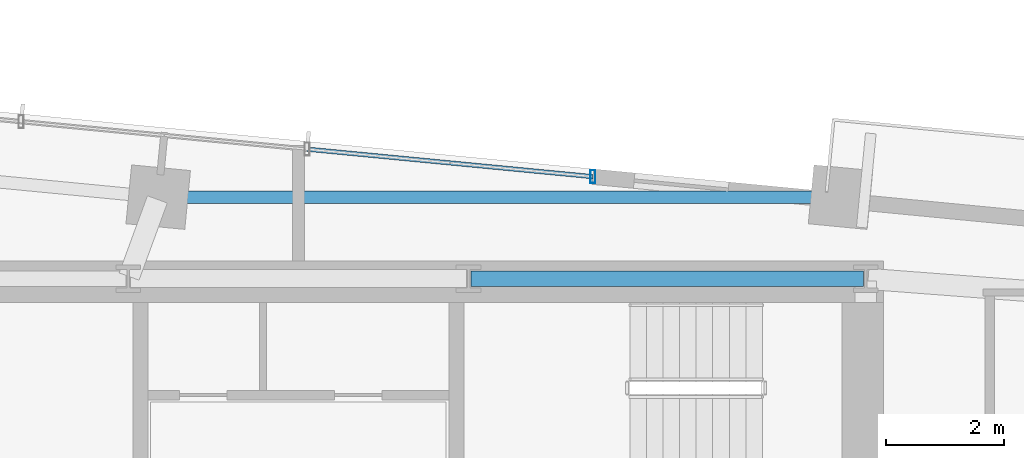
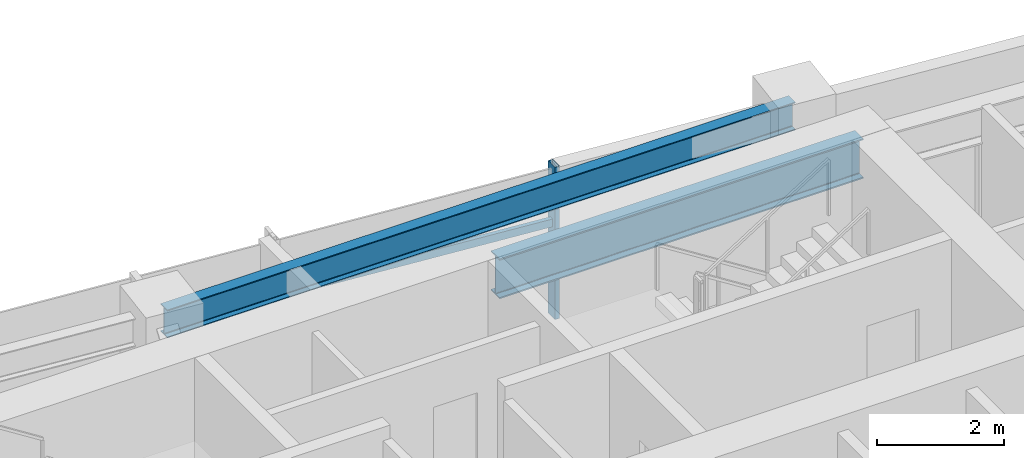
# One storey, part 11 of 19: 2 beams, 2 members, 1 element without a shape of its own.
"""IFC4 building model written with IfcOpenShell, lengths in metres."""

from ifc_helpers import new_model, si_unit, direction, frame, origin, origin_2d, place, context, subcontext, project, spatial, hollow_rectangle, i_section, extrude, source, transform, mapped, material, material_profile, profile_set, type_object, type_shapes, element, aggregate, save


model = new_model("IFC4")

# Units and contexts
model_context = context("Model", 3, precision=1e-05, world=origin(), true_north=direction((0.0, 1.0)))
body_context = subcontext(model_context, "Body", "Model", "MODEL_VIEW")
ifc_project = project(units=[si_unit("LENGTHUNIT", "METRE"), si_unit("AREAUNIT", "SQUARE_METRE"), si_unit("VOLUMEUNIT", "CUBIC_METRE"), si_unit("PLANEANGLEUNIT", "RADIAN"), si_unit("MASSUNIT", "GRAM", prefix="KILO")], contexts=[model_context])

# Site, building, storey
site_placement = place(None, origin())
site = spatial("IfcSite", under=ifc_project, at=site_placement, CompositionType="ELEMENT")
building_placement = place(site_placement, origin())
building = spatial("IfcBuilding", under=site, at=building_placement, Name="Astriad Promenade Condominiums", CompositionType="ELEMENT")
storey_placement = place(building_placement, frame((0.0, 0.0, 140.60009765625)))
storey = spatial("IfcBuildingStorey", under=building, at=storey_placement, Name="L40", CompositionType="ELEMENT", Elevation=140.60009765625)

# Beams
ifc_material_1 = material(Name="Steel ASTM A992 Grade 50", Category="steel")
ifc_material_profile_1 = material_profile(ifc_material_1, i_section(OverallWidth=0.267822265625, OverallDepth=0.76953125, WebThickness=0.015625, FlangeThickness=0.025390625, FilletRadius=0.021484375, at=origin_2d()), Name="W30X132")
ifc_profile_set_1 = profile_set([ifc_material_profile_1], Name="Steel ASTM A992 Grade 50")
beam_type_1 = type_object("IfcBeamType", Name="STEEL FLOOR GIRDER W30X132", PredefinedType="BEAM", material=ifc_profile_set_1)
shared_shape_1 = source(origin(), body_context, "Body", "SweptSolid", [
    extrude(i_section(OverallWidth=0.267822265625, OverallDepth=0.76953125, WebThickness=0.015625, FlangeThickness=0.025390625, FilletRadius=0.021484375, at=origin_2d()), origin(), (0.0, 0.0, 1.0), 6.64013671875),
])
type_shapes(beam_type_1, [shared_shape_1])
beam_1_placement = place(storey_placement, frame((38.919921875, 24.0, 2.55517578125), z_axis=(1.0, 0.0, 0.0), x_axis=(0.0, 1.0, 0.0)))
element("IfcBeam", 1, at=beam_1_placement, inside=storey, type_object=beam_type_1, Name="Core Ring Beam CG-N3-L40", PredefinedType="BEAM", context=body_context, shape_type="MappedRepresentation", body=[
    mapped(shared_shape_1, transform((0.0, 0.0, 0.0), scale=1.0)),
])
ifc_material_profile_2 = material_profile(ifc_material_1, i_section(OverallWidth=0.210693359375, OverallDepth=0.53955078125, WebThickness=0.01171875, FlangeThickness=0.018798828125, FilletRadius=0.0166015625, at=origin_2d()), Name="W21X73")
ifc_profile_set_2 = profile_set([ifc_material_profile_2], Name="Steel ASTM A992 Grade 50")
beam_type_2 = type_object("IfcBeamType", Name="STEEL SPANDREL BEAM W21X73", PredefinedType="SPANDREL", material=ifc_profile_set_2)
shared_shape_2 = source(origin(), body_context, "Body", "SweptSolid", [
    extrude(i_section(OverallWidth=0.210693359375, OverallDepth=0.53955078125, WebThickness=0.01171875, FlangeThickness=0.018798828125, FilletRadius=0.0166015625, at=origin_2d()), origin(), (0.0, 0.0, 1.0), 11.466552734375),
])
type_shapes(beam_type_2, [shared_shape_2])
beam_2_placement = place(storey_placement, frame((45.1328125, 25.3798828125, 2.670166015625), z_axis=(-0.999999999093, 4.258309e-05, 0.0), x_axis=(-4.258309e-05, -0.999999999093, 0.0)))
element("IfcBeam", 2, at=beam_2_placement, inside=storey, type_object=beam_type_2, Name="Perimeter Spandrel Beam SP-N3-L40", PredefinedType="SPANDREL", context=body_context, shape_type="MappedRepresentation", body=[
    mapped(shared_shape_2, transform((0.0, 0.0, 0.0), scale=1.0)),
])

# Curtain wall, members
ifc_material_2 = material(Name="Anodised aluminium Black Dark Glass Unitised", Category="aluminium")
curtain_wall_type = type_object("IfcCurtainWallType", Name="CW-B34-DARK", PredefinedType="USERDEFINED", material=ifc_material_2)
curtain_wall_placement = place(storey_placement, origin())
curtain_wall = element("IfcCurtainWall", 3, at=curtain_wall_placement, inside=storey, type_object=curtain_wall_type, Name="CW-L40-N", ObjectType="UNITISED_CURTAIN_WALL", PredefinedType="USERDEFINED")
ifc_material_3 = material(Name="Anodised aluminium 6063-T6 Black", Category="aluminium")
ifc_material_profile_3 = material_profile(ifc_material_3, hollow_rectangle(XDim=0.0849609375, YDim=0.219970703125, WallThickness=0.0048828125, at=origin_2d()), Name="ALU-MUL-85X220")
ifc_profile_set_3 = profile_set([ifc_material_profile_3], Name="Anodised aluminium 6063-T6 Black")
member_type_1 = type_object("IfcMemberType", Name="MUL-ALU-MUL-85X220", PredefinedType="MULLION", material=ifc_profile_set_3)
shared_shape_3 = source(origin(), body_context, "Body", "SweptSolid", [
    extrude(hollow_rectangle(XDim=0.0849609375, YDim=0.219970703125, WallThickness=0.0048828125, at=origin_2d()), origin(), (0.0, 0.0, 1.0), 2.93994140625),
])
type_shapes(member_type_1, [shared_shape_3])
member_1_placement = place(storey_placement, frame((40.9833984375, 25.726806640625, 0.0), z_axis=(0.0, 0.0, 1.0), x_axis=(1.0, 0.0, 0.0)))
member_1 = element("IfcMember", 4, at=member_1_placement, type_object=member_type_1, Name="CW-L40-N-MUL-03", PredefinedType="MULLION", context=body_context, shape_type="MappedRepresentation", body=[
    mapped(shared_shape_3, transform((0.0, 0.0, 0.0), scale=1.0)),
])
ifc_material_profile_4 = material_profile(ifc_material_3, hollow_rectangle(XDim=0.074951171875, YDim=0.14990234375, WallThickness=0.004150390625, at=origin_2d()), Name="ALU-TRN-75X150")
ifc_profile_set_4 = profile_set([ifc_material_profile_4], Name="Anodised aluminium 6063-T6 Black")
member_type_2 = type_object("IfcMemberType", Name="TRN-ALU-TRN-75X150", PredefinedType="USERDEFINED", material=ifc_profile_set_4)
shared_shape_4 = source(origin(), body_context, "Body", "SweptSolid", [
    extrude(hollow_rectangle(XDim=0.074951171875, YDim=0.14990234375, WallThickness=0.004150390625, at=origin_2d()), origin(), (0.0, 0.0, 1.0), 4.860107421875),
])
type_shapes(member_type_2, [shared_shape_4])
member_2_placement = place(storey_placement, frame((36.145751953125, 26.1923828125, 1.82275390625), z_axis=(0.995400834012, -0.095797597298, 0.0), x_axis=(0.095797597298, 0.995400834012, 0.0)))
member_2 = element("IfcMember", 5, at=member_2_placement, type_object=member_type_2, Name="CW-L40-N-TRN-02-0", ObjectType="TRANSOM", PredefinedType="USERDEFINED", context=body_context, shape_type="MappedRepresentation", body=[
    mapped(shared_shape_4, transform((0.0, 0.0, 0.0), scale=1.0)),
])
aggregate(curtain_wall, [member_1, member_2])

save(model, "model.ifc")
